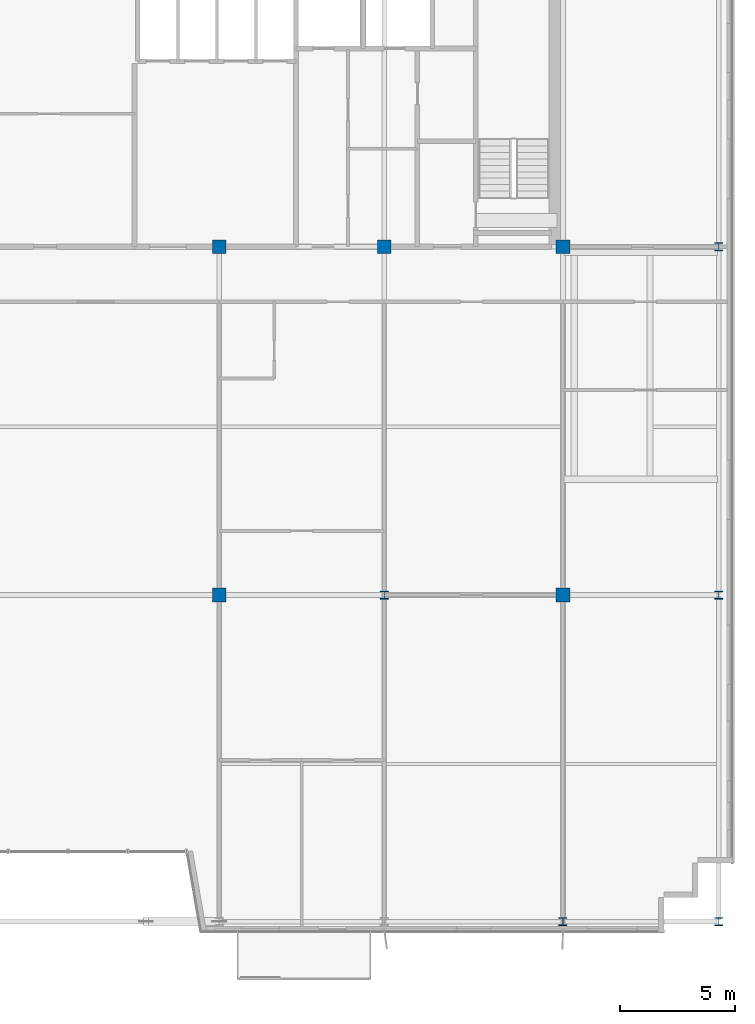
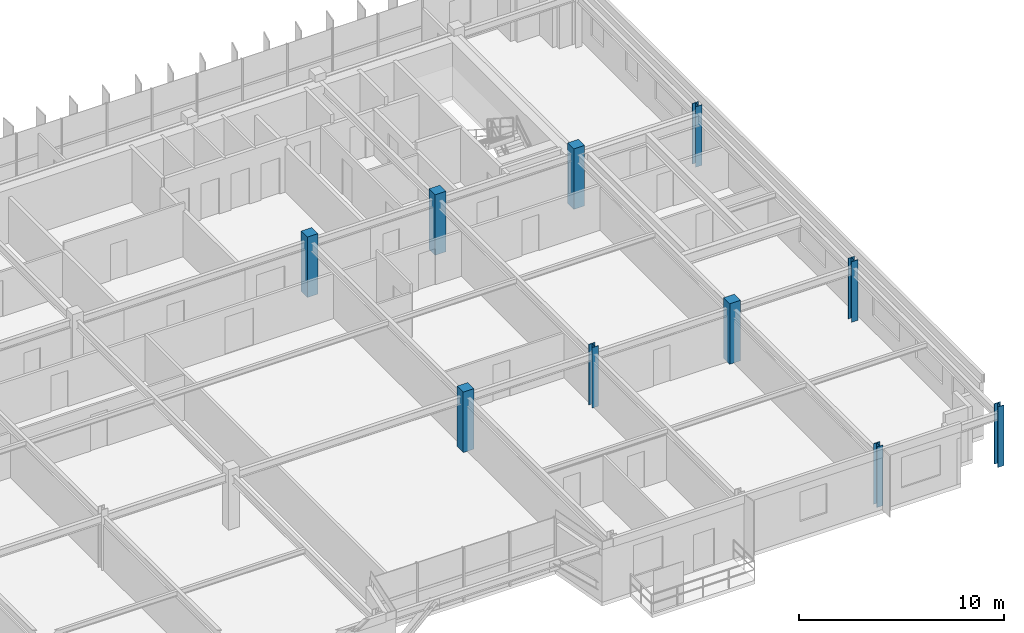
# One storey, part 2 of 26: 10 columns.
"""IFC4 building model written with IfcOpenShell, lengths in metres."""

from ifc_helpers import new_model, si_unit, direction, frame, origin, origin_2d, place, context, subcontext, project, spatial, rectangle, i_section, extrude, source, transform, mapped, material, material_profile, profile_set, type_object, element, save


model = new_model("IFC4")

# Units and contexts
model_context = context("Model", 3, precision=1e-05, world=origin(), true_north=direction((0.0, 1.0)))
body_context = subcontext(model_context, "Body", "Model", "MODEL_VIEW")
ifc_project = project(units=[si_unit("LENGTHUNIT", "METRE"), si_unit("AREAUNIT", "SQUARE_METRE"), si_unit("VOLUMEUNIT", "CUBIC_METRE"), si_unit("PLANEANGLEUNIT", "RADIAN"), si_unit("MASSUNIT", "GRAM", prefix="KILO")], contexts=[model_context])

# Site, building, storey
site_placement = place(None, origin())
site = spatial("IfcSite", under=ifc_project, at=site_placement, CompositionType="ELEMENT")
building_placement = place(site_placement, origin())
building = spatial("IfcBuilding", under=site, at=building_placement, Name="Trelvane Seafront Commons", CompositionType="ELEMENT")
storey_placement = place(building_placement, frame((0.0, 0.0, 291.89990234375)))
storey = spatial("IfcBuildingStorey", under=building, at=storey_placement, Name="L76", CompositionType="ELEMENT", Elevation=291.89990234375)

# Columns
ifc_material_1 = material(Name="Steel SM355 (S355)", Category="steel")
ifc_material_profile_1 = material_profile(ifc_material_1, i_section(OverallWidth=0.35009765625, OverallDepth=0.35009765625, WebThickness=0.01806640625, FlangeThickness=0.028076171875, at=origin_2d()), Name="HD-350x350x18x28")
ifc_profile_set_1 = profile_set([ifc_material_profile_1], Name="Steel SM355 (S355)")
column_type_1 = type_object("IfcColumnType", Name="STR-COL-HD350", PredefinedType="COLUMN", material=ifc_profile_set_1)
shared_shape_1 = source(origin(), body_context, "Body", "SweptSolid", [
    extrude(i_section(OverallWidth=0.35009765625, OverallDepth=0.35009765625, WebThickness=0.01806640625, FlangeThickness=0.028076171875, at=origin_2d()), origin(), (0.0, 0.0, 1.0), 3.60009765625),
])
for number, where, z_axis, x_axis, name in (
    (1, (51.0, 18.199951171875, 0.0), (0.0, 0.0, 1.0), (1.0, 0.0, 0.0), "L76 Column TC-M51.0"),
    (2, (58.800048828125, 3.949951171875, 0.0), (0.0, 0.0, 1.0), (1.0, 0.0, 0.0), "L76 Column TC-S58.8"),
    (3, (65.60009765625, 3.949951171875, 0.0), (0.0, 0.0, 1.0), (1.0, 0.0, 0.0), "L76 Column TC-S65.6"),
    (4, (65.60009765625, 18.199951171875, 0.0), (0.0, 0.0, 1.0), (1.0, 0.0, 0.0), "L76 Column TC-M65.6"),
    (5, (65.60009765625, 33.39990234375, 0.0), (0.0, 0.0, 1.0), (1.0, 0.0, 0.0), "L76 Column TC-CS65.6"),
):
    element("IfcColumn", number, at=place(storey_placement, frame(where, z_axis=z_axis, x_axis=x_axis)), inside=storey, type_object=column_type_1, Name=name, PredefinedType="COLUMN", context=body_context, shape_type="MappedRepresentation", body=[
        mapped(shared_shape_1, transform((0.0, 0.0, 0.0), x_axis=(1.0, 0.0, 0.0), y_axis=(0.0, 1.0, 0.0), z_axis=(0.0, 0.0, 1.0), scale=1.0)),
    ])
ifc_material_2 = material(Name="Concrete C50/60", Category="concrete")
ifc_material_profile_2 = material_profile(ifc_material_2, rectangle(XDim=0.60009765625, YDim=0.60009765625, at=origin_2d()), Name="RC-600x600")
ifc_profile_set_2 = profile_set([ifc_material_profile_2], Name="Concrete C50/60")
column_type_2 = type_object("IfcColumnType", Name="STR-COL-RC600", PredefinedType="COLUMN", material=ifc_profile_set_2)
shared_shape_2 = source(origin(), body_context, "Body", "SweptSolid", [
    extrude(rectangle(XDim=0.60009765625, YDim=0.60009765625, at=origin_2d()), origin(), (0.0, 0.0, 1.0), 3.60009765625),
])
for number, where, z_axis, x_axis, name in (
    (6, (43.800048828125, 18.199951171875, 0.0), (0.0, 0.0, 1.0), (1.0, 0.0, 0.0), "L76 Column TC-M43.8"),
    (7, (43.800048828125, 33.39990234375, 0.0), (0.0, 0.0, 1.0), (1.0, 0.0, 0.0), "L76 Column TC-CS43.8"),
    (8, (51.0, 33.39990234375, 0.0), (0.0, 0.0, 1.0), (1.0, 0.0, 0.0), "L76 Column TC-CS51.0"),
    (9, (58.800048828125, 18.199951171875, 0.0), (0.0, 0.0, 1.0), (1.0, 0.0, 0.0), "L76 Column TC-M58.8"),
    (10, (58.800048828125, 33.39990234375, 0.0), (0.0, 0.0, 1.0), (1.0, 0.0, 0.0), "L76 Column TC-CS58.8"),
):
    element("IfcColumn", number, at=place(storey_placement, frame(where, z_axis=z_axis, x_axis=x_axis)), inside=storey, type_object=column_type_2, Name=name, PredefinedType="COLUMN", context=body_context, shape_type="MappedRepresentation", body=[
        mapped(shared_shape_2, transform((0.0, 0.0, 0.0), x_axis=(1.0, 0.0, 0.0), y_axis=(0.0, 1.0, 0.0), z_axis=(0.0, 0.0, 1.0), scale=1.0)),
    ])

save(model, "model.ifc")
